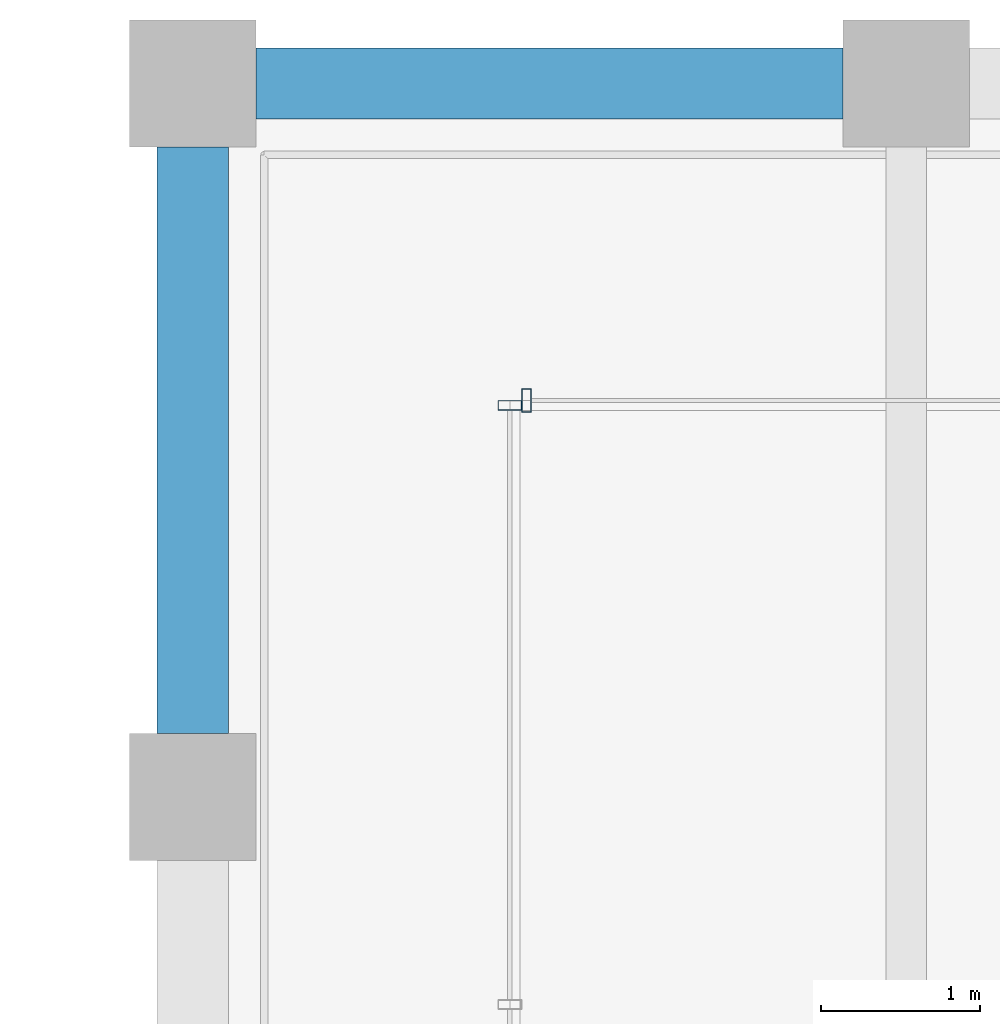
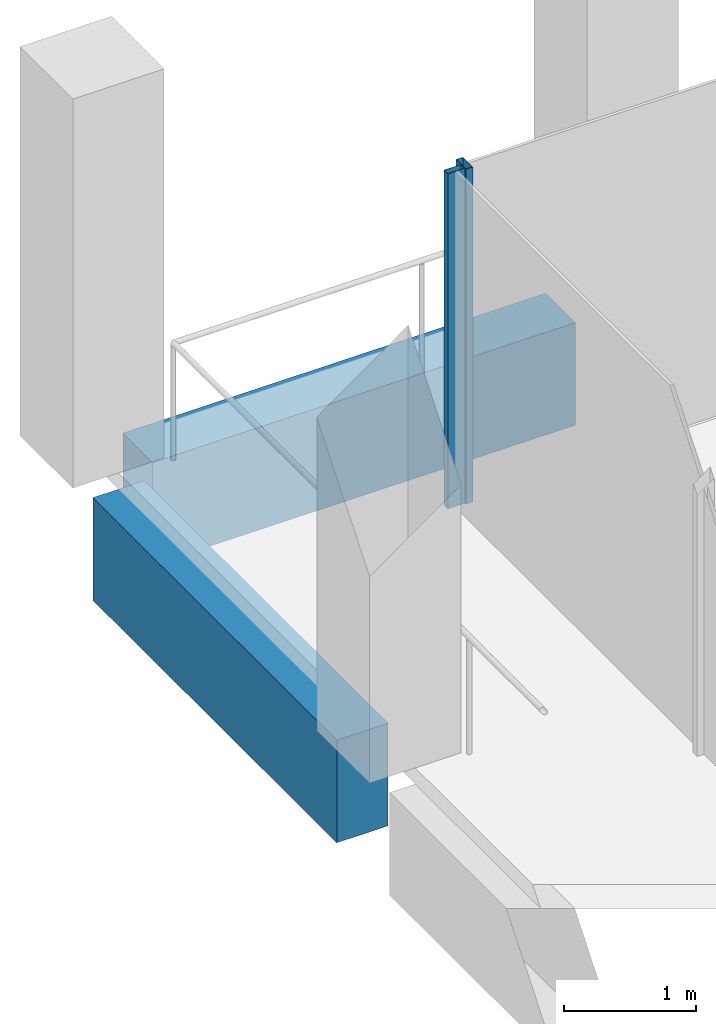
# One storey, part 23 of 62: 2 beams, 2 members, 2 elements without a shape of their own.
"""IFC4 building model written with IfcOpenShell, lengths in metres."""

from ifc_helpers import new_model, si_unit, direction, frame, origin, origin_2d, place, context, subcontext, project, spatial, rectangle, hollow_rectangle, extrude, material, material_profile, profile_set, type_object, element, aggregate, save


model = new_model("IFC4")

# Units and contexts
model_context = context("Model", 3, precision=1e-05, world=origin(), true_north=direction((0.0, 1.0)))
body_context = subcontext(model_context, "Body", "Model", "MODEL_VIEW")
ifc_project = project(units=[si_unit("LENGTHUNIT", "METRE"), si_unit("AREAUNIT", "SQUARE_METRE"), si_unit("VOLUMEUNIT", "CUBIC_METRE"), si_unit("PLANEANGLEUNIT", "RADIAN"), si_unit("MASSUNIT", "GRAM", prefix="KILO")], contexts=[model_context])

# Site, building, storey
site_placement = place(None, origin())
site = spatial("IfcSite", under=ifc_project, at=site_placement, CompositionType="ELEMENT")
building_placement = place(site_placement, origin())
building = spatial("IfcBuilding", under=site, at=building_placement, Name="Altepetl Exchange Towers", CompositionType="ELEMENT")
storey_placement = place(building_placement, frame((0.0, 0.0, 210.0)))
storey = spatial("IfcBuildingStorey", under=building, at=storey_placement, Name="L53", CompositionType="ELEMENT", Elevation=210.0)

# Curtain wall, member
ifc_material_1 = material(Name="Aluminium 6063-T6 glazing", Category="aluminium")
curtain_wall_type = type_object("IfcCurtainWallType", Name="Loggia glazing system", PredefinedType="NOTDEFINED", material=ifc_material_1)
curtain_wall_1_placement = place(storey_placement, origin())
curtain_wall_1 = element("IfcCurtainWall", 1, at=curtain_wall_1_placement, inside=storey, type_object=curtain_wall_type, Name="CW1 run", PredefinedType="NOTDEFINED")
ifc_material_2 = material(Name="Aluminium 6063-T6", Category="aluminium")
ifc_material_profile_1 = material_profile(ifc_material_2, hollow_rectangle(XDim=0.06005859375, YDim=0.14990234375, WallThickness=0.0029296875, at=origin_2d()), Name="Mullion 60x150 aluminium")
ifc_profile_set_1 = profile_set([ifc_material_profile_1], Name="Aluminium 6063-T6")
member_type = type_object("IfcMemberType", Name="Mullion 60x150 aluminium", PredefinedType="MULLION", material=ifc_profile_set_1)
member_1_placement = place(storey_placement, frame((42.60498046875, 70.0, 0.0), z_axis=(0.0, 0.0, 1.0), x_axis=(-1.0, 0.0, 0.0)))
member_1 = element("IfcMember", 2, at=member_1_placement, type_object=member_type, Name="MU1 mullion", PredefinedType="MULLION", context=body_context, shape_type="SweptSolid", body=[
    extrude(hollow_rectangle(XDim=0.06005859375, YDim=0.14990234375, WallThickness=0.0029296875, at=origin_2d()), origin(), (0.0, 0.0, 1.0), 3.10009765625),
])
aggregate(curtain_wall_1, [member_1])

curtain_wall_2_placement = place(storey_placement, origin())
curtain_wall_2 = element("IfcCurtainWall", 3, at=curtain_wall_2_placement, inside=storey, type_object=curtain_wall_type, Name="CW1 run", PredefinedType="NOTDEFINED")
member_2_placement = place(storey_placement, frame((42.5, 69.969970703125, 0.0), z_axis=(0.0, 0.0, 1.0), x_axis=(0.0, -1.0, 0.0)))
member_2 = element("IfcMember", 4, at=member_2_placement, type_object=member_type, Name="MU1 mullion", PredefinedType="MULLION", context=body_context, shape_type="SweptSolid", body=[
    extrude(hollow_rectangle(XDim=0.06005859375, YDim=0.14990234375, WallThickness=0.0029296875, at=origin_2d()), origin(), (0.0, 0.0, 1.0), 3.10009765625),
])
aggregate(curtain_wall_2, [member_2])

# Beams
ifc_material_3 = material(Name="Concrete C50/60 precast with cantera rosa facing", Category="concrete")
ifc_material_profile_2 = material_profile(ifc_material_3, rectangle(XDim=0.449951171875, YDim=0.949951171875, at=origin_2d()), Name="450 x 950")
ifc_profile_set_2 = profile_set([ifc_material_profile_2], Name="Concrete C50/60 precast with cantera rosa facing")
beam_type_1 = type_object("IfcBeamType", Name="Spandrel beam 450x950 cantera rosa", PredefinedType="SPANDREL", material=ifc_profile_set_2)
beam_1_placement = place(storey_placement, frame((44.60009765625, 72.0, -0.625), z_axis=(-1.0, 0.0, 0.0), x_axis=(0.0, -1.0, 0.0)))
element("IfcBeam", 5, at=beam_1_placement, inside=storey, type_object=beam_type_1, Name="sp:A:L53:029", PredefinedType="SPANDREL", context=body_context, shape_type="SweptSolid", body=[
    extrude(rectangle(XDim=0.449951171875, YDim=0.949951171875, at=origin_2d()), origin(), (0.0, 0.0, 1.0), 3.7001953125),
])
ifc_material_4 = material(Name="Concrete C50/60 precast with tezontle facing", Category="concrete")
ifc_material_profile_3 = material_profile(ifc_material_4, rectangle(XDim=0.449951171875, YDim=0.949951171875, at=origin_2d()), Name="450 x 950")
ifc_profile_set_3 = profile_set([ifc_material_profile_3], Name="Concrete C50/60 precast with tezontle facing")
beam_type_2 = type_object("IfcBeamType", Name="Spandrel beam 450x950 tezontle", PredefinedType="SPANDREL", material=ifc_profile_set_3)
beam_2_placement = place(storey_placement, frame((40.5, 71.60009765625, -0.625), z_axis=(0.0, -1.0, 0.0), x_axis=(1.0, 0.0, 0.0)))
element("IfcBeam", 6, at=beam_2_placement, inside=storey, type_object=beam_type_2, Name="sp:A:L53:030", PredefinedType="SPANDREL", context=body_context, shape_type="SweptSolid", body=[
    extrude(rectangle(XDim=0.449951171875, YDim=0.949951171875, at=origin_2d()), origin(), (0.0, 0.0, 1.0), 3.7001953125),
])

save(model, "model.ifc")
